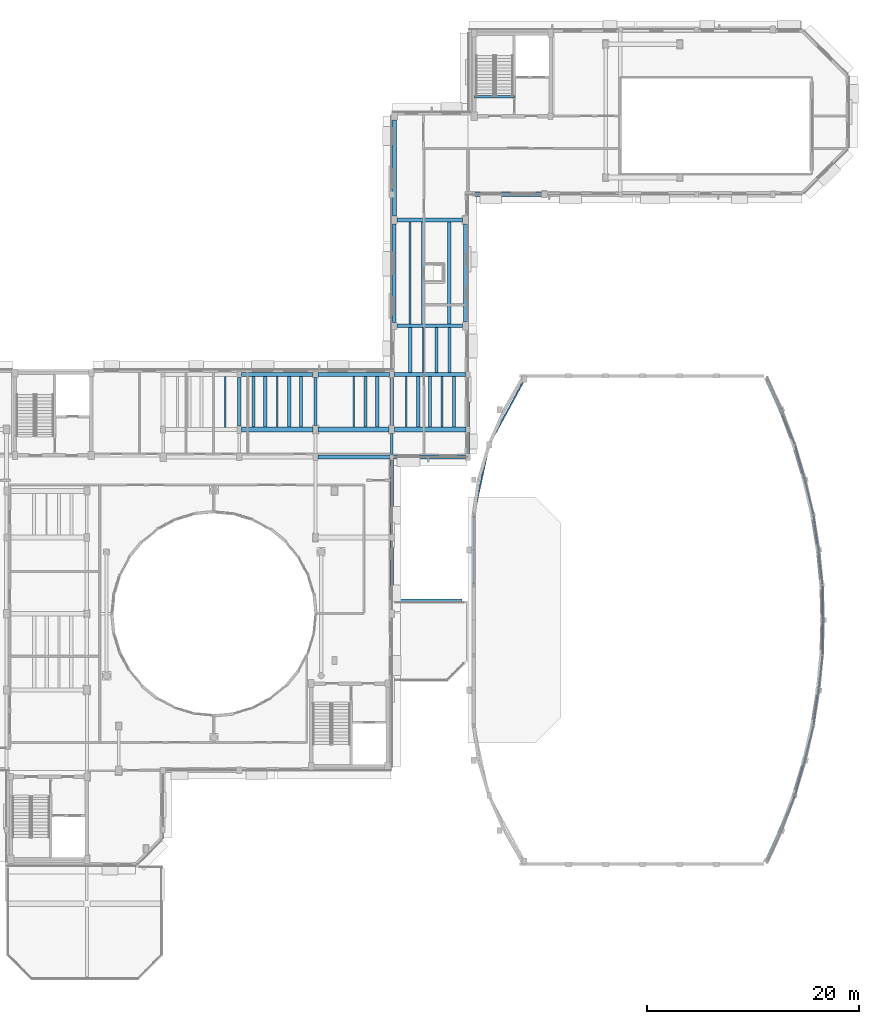
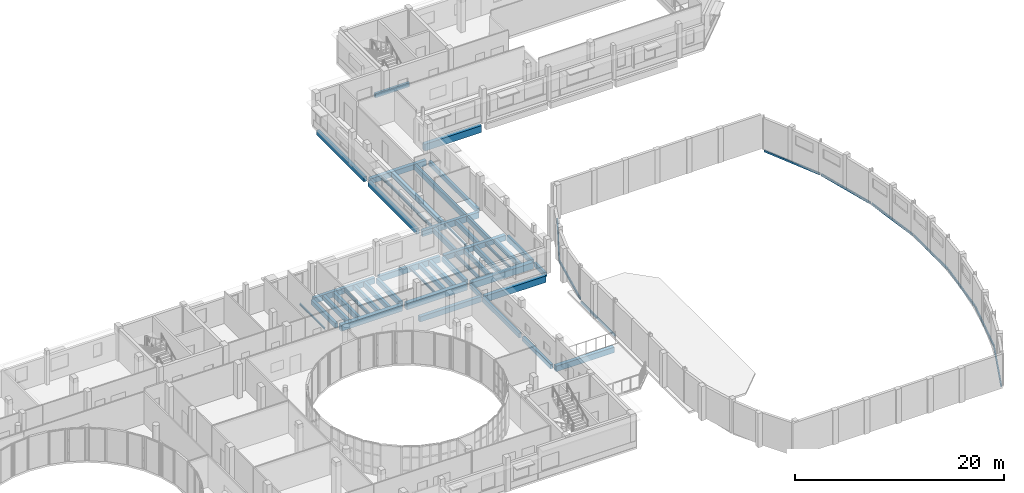
# One storey, part 44 of 89: 55 beams.
"""IFC4 building model written with IfcOpenShell, lengths in metres."""

import ifcopenshell
import ifcopenshell.guid

model = None  # the IFC model being written
_history = None  # IfcOwnerHistory: only IFC2X3 demands one
_inside = {}  # id of a spatial element -> (the spatial element, [elements in it])
_under = {}  # id of a project, library or spatial element -> (it, [spatial elements below it])
_declared = {}  # id of a project -> (the project, [libraries it declares])
_typed = {}  # id of a type object -> (the type object, [elements of that type])
_made_of = {}  # id of a material, layer set ... -> (it, [elements and type objects made of it])


def new_model(schema):
    """Start an empty IFC model of exactly this schema.

    Asked for "IFC4X3", IfcOpenShell would pick the latest addendum, in which some entities
    have other attributes; the version numbers below select the first issue.
    IFC2X3 requires an IfcOwnerHistory on every rooted entity: one is made here for all.
    """
    global model, _history
    if schema == "IFC4X3":
        model = ifcopenshell.file(schema_version=(4, 3, 0, 0))
    else:
        model = ifcopenshell.file(schema=schema)
    _inside.clear()
    _under.clear()
    _declared.clear()
    _typed.clear()
    _made_of.clear()
    _history = None
    if model.schema == "IFC2X3":
        org = make("IfcOrganization", Name="unknown")
        user = make(
            "IfcPersonAndOrganization",
            ThePerson=make("IfcPerson", FamilyName="unknown"),
            TheOrganization=org,
        )
        app = make(
            "IfcApplication",
            ApplicationDeveloper=org,
            Version="unknown",
            ApplicationFullName="unknown",
            ApplicationIdentifier="unknown",
        )
        _history = make(
            "IfcOwnerHistory",
            OwningUser=user,
            OwningApplication=app,
            ChangeAction="ADDED",
            CreationDate=0,
        )
    return model


def make(cls, **values):
    """One entity of the class cls with the attributes given. An attribute that is None is left unset."""
    return model.create_entity(
        cls, **{name: value for name, value in values.items() if value is not None}
    )


def rooted(cls, **values):
    """An entity with a GlobalId (a new one), such as an element, a storey or a relation."""
    return make(cls, GlobalId=ifcopenshell.guid.new(), OwnerHistory=_history, **values)


def si_unit(unit_type, name, prefix=None):
    """IfcSIUnit, for example si_unit("LENGTHUNIT", "METRE", prefix="MILLI")."""
    return make("IfcSIUnit", UnitType=unit_type, Prefix=prefix, Name=name)


def assignment(units):
    """IfcUnitAssignment: the units of a project."""
    return None if units is None else make("IfcUnitAssignment", Units=units)


def point(xyz):
    """IfcCartesianPoint."""
    return None if xyz is None else make("IfcCartesianPoint", Coordinates=xyz)


def direction(xyz):
    """IfcDirection."""
    return None if xyz is None else make("IfcDirection", DirectionRatios=xyz)


def frame(location, z_axis=None, x_axis=None):
    """IfcAxis2Placement3D, a coordinate frame: its origin and axes. An axis left out is left unset."""
    return make(
        "IfcAxis2Placement3D",
        Location=point(location),
        Axis=direction(z_axis),
        RefDirection=direction(x_axis),
    )


def frame_2d(location, x_axis=None):
    """IfcAxis2Placement2D, a coordinate frame in the plane: its origin and x axis."""
    return make(
        "IfcAxis2Placement2D", Location=point(location), RefDirection=direction(x_axis)
    )


def origin():
    """The frame at (0, 0, 0) with its axes left unset."""
    return frame((0.0, 0.0, 0.0))


def origin_2d():
    """The frame at (0, 0) in the plane with its x axis left unset."""
    return frame_2d((0.0, 0.0))


def place(relative_to, where):
    """IfcLocalPlacement: puts the frame where relative to a parent placement (None: the world)."""
    return make(
        "IfcLocalPlacement", PlacementRelTo=relative_to, RelativePlacement=where
    )


def context(
    kind, dimensions, precision=None, world=None, true_north=None, identifier=None
):
    """IfcGeometricRepresentationContext, for example the 3D "Model" context."""
    return make(
        "IfcGeometricRepresentationContext",
        ContextIdentifier=identifier,
        ContextType=kind,
        CoordinateSpaceDimension=dimensions,
        Precision=precision,
        WorldCoordinateSystem=world,
        TrueNorth=true_north,
    )


def subcontext(parent, identifier, kind, view, scale=None):
    """IfcGeometricRepresentationSubContext, for example "Body" below "Model"."""
    return make(
        "IfcGeometricRepresentationSubContext",
        ContextIdentifier=identifier,
        ContextType=kind,
        ParentContext=parent,
        TargetScale=scale,
        TargetView=view,
    )


def project(units=None, contexts=None):
    """IfcProject with its units and contexts."""
    return rooted(
        "IfcProject",
        Name="project",
        RepresentationContexts=contexts,
        UnitsInContext=assignment(units),
    )


def spatial(cls, under=None, at=None, **own):
    """A site, building, storey or space (cls), placed at a placement, below another one or the project."""
    s = rooted(cls, ObjectPlacement=at, **own)
    if under is not None:
        _under.setdefault(under.id(), (under, []))[1].append(s)
    return s


def profile(cls, at=None, kind="AREA", **sizes):
    """A parametric profile (cls). Its sizes go by their IFC names, for example OverallWidth=200.0."""
    return make(cls, ProfileType=kind, Position=at, **sizes)


def rectangle(**sizes):
    """IfcRectangleProfileDef."""
    return profile("IfcRectangleProfileDef", **sizes)


def hollow_rectangle(**sizes):
    """IfcRectangleHollowProfileDef."""
    return profile("IfcRectangleHollowProfileDef", **sizes)


def i_section(**sizes):
    """IfcIShapeProfileDef."""
    return profile("IfcIShapeProfileDef", **sizes)


def extrude(swept, where, along, depth):
    """IfcExtrudedAreaSolid: the profile swept, set in the frame where, extruded along a direction by depth."""
    return make(
        "IfcExtrudedAreaSolid",
        SweptArea=swept,
        Position=where,
        ExtrudedDirection=direction(along),
        Depth=depth,
    )


def shape(context_of_items, identifier, shape_type, items):
    """IfcShapeRepresentation: the items that make up one representation, for example the "Body"."""
    return make(
        "IfcShapeRepresentation",
        ContextOfItems=context_of_items,
        RepresentationIdentifier=identifier,
        RepresentationType=shape_type,
        Items=items,
    )


def material(Name=None, Category=None):
    """IfcMaterial."""
    return make("IfcMaterial", Name=Name, Category=Category)


def material_profile(
    of_material, cross_section, Name=None, Category=None, Priority=None
):
    """IfcMaterialProfile: a cross section and its material."""
    return make(
        "IfcMaterialProfile",
        Name=Name,
        Material=of_material,
        Profile=cross_section,
        Priority=Priority,
        Category=Category,
    )


def profile_set(profiles, Name=None, composite=None):
    """IfcMaterialProfileSet."""
    return make(
        "IfcMaterialProfileSet",
        Name=Name,
        MaterialProfiles=profiles,
        CompositeProfile=composite,
    )


def made_of(thing, what):
    """Note that an element or type object is made of a material, layer set ...; save() writes the relation."""
    if what is not None:
        _made_of.setdefault(what.id(), (what, []))[1].append(thing)
    return thing


def type_object(cls, material=None, **own):
    """A type object (cls), such as IfcWallType, which elements share."""
    return made_of(rooted(cls, **own), material)


def element(
    cls,
    number,
    at=None,
    inside=None,
    cuts=None,
    type_object=None,
    material=None,
    context=None,
    identifier="Body",
    shape_type=None,
    held_by="IfcProductDefinitionShape",
    body=None,
    shapes=None,
    **own,
):
    """One element of the class cls, such as IfcWall. Its Tag is "e" and its number.

    at: its placement. inside: the storey or other place that contains it. cuts: it is an
    opening in that element (IfcRelVoidsElement). A single representation is given by context,
    identifier, shape_type and body (its items); several are given by shapes. held_by: the class
    of the entity that holds the representations. save() writes the other relations.
    """
    e = rooted(cls, Tag="e%d" % number, ObjectPlacement=at, **own)
    if body is not None:
        shapes = [shape(context, identifier, shape_type, body)]
    if shapes is not None:
        e.Representation = make(held_by, Representations=shapes)
    if inside is not None:
        _inside.setdefault(inside.id(), (inside, []))[1].append(e)
    if cuts is not None:
        rooted(
            "IfcRelVoidsElement", RelatingBuildingElement=cuts, RelatedOpeningElement=e
        )
    if type_object is not None:
        _typed.setdefault(type_object.id(), (type_object, []))[1].append(e)
    return made_of(e, material)


def aggregate(whole, parts):
    """IfcRelAggregates: a whole, such as a stair, and the parts it consists of."""
    return rooted("IfcRelAggregates", RelatingObject=whole, RelatedObjects=parts)


def save(model, path):
    """Write the relations noted so far, then the file.

    IfcRelAggregates (storeys below a building ...), IfcRelContainedInSpatialStructure (elements
    in a storey), IfcRelDefinesByType, IfcRelAssociatesMaterial and IfcRelDeclares: one each for
    every whole, place, type object, material and project.
    """
    for whole, parts in _under.values():
        aggregate(whole, parts)
    for where, things in _inside.values():
        rooted(
            "IfcRelContainedInSpatialStructure",
            RelatedElements=things,
            RelatingStructure=where,
        )
    for kind, things in _typed.values():
        rooted("IfcRelDefinesByType", RelatedObjects=things, RelatingType=kind)
    for what, things in _made_of.values():
        rooted("IfcRelAssociatesMaterial", RelatedObjects=things, RelatingMaterial=what)
    for by, libraries in _declared.values():
        rooted("IfcRelDeclares", RelatingContext=by, RelatedDefinitions=libraries)
    model.write(path)


model = new_model("IFC4")

# Units and contexts
model_context = context("Model", 3, precision=1e-05, world=origin(), true_north=direction((0.0, 1.0)))
body_context = subcontext(model_context, "Body", "Model", "MODEL_VIEW")
ifc_project = project(units=[si_unit("LENGTHUNIT", "METRE"), si_unit("AREAUNIT", "SQUARE_METRE"), si_unit("VOLUMEUNIT", "CUBIC_METRE"), si_unit("PLANEANGLEUNIT", "RADIAN"), si_unit("MASSUNIT", "GRAM", prefix="KILO")], contexts=[model_context])

# Site, building, storey
site_placement = place(None, origin())
site = spatial("IfcSite", under=ifc_project, at=site_placement, CompositionType="ELEMENT")
building_placement = place(site_placement, origin())
building = spatial("IfcBuilding", under=site, at=building_placement, Name="Kelanivale Promenade Academy", CompositionType="ELEMENT")
storey_placement = place(building_placement, frame((0.0, 0.0, 12.199951171875)))
storey = spatial("IfcBuildingStorey", under=building, at=storey_placement, Name="L03", CompositionType="ELEMENT", Elevation=12.199951171875)

# Beams
ifc_material_1 = material(Name="Concrete C35/45", Category="concrete")
ifc_material_profile_1 = material_profile(ifc_material_1, rectangle(XDim=0.39990234375, YDim=0.64990234375, at=origin_2d()), Name="RC-BM 400x650")
ifc_profile_set_1 = profile_set([ifc_material_profile_1], Name="Concrete C35/45")
beam_type_1 = type_object("IfcBeamType", Name="BM-01 RC-BM 400x650", PredefinedType="BEAM", material=ifc_profile_set_1)
beam_1_placement = place(storey_placement, frame((115.794921875, 58.0, -0.56005859375), z_axis=(1.0, 0.0, 0.0), x_axis=(0.0, 1.0, 0.0)))
element("IfcBeam", 1, at=beam_1_placement, inside=storey, type_object=beam_type_1, Name="L03 girder BM-01", PredefinedType="BEAM", context=body_context, shape_type="SweptSolid", body=[
    extrude(rectangle(XDim=0.39990234375, YDim=0.64990234375, at=origin_2d()), origin(), (0.0, 0.0, 1.0), 6.43310546875),
])
ifc_material_profile_2 = material_profile(ifc_material_1, rectangle(XDim=0.449951171875, YDim=0.699951171875, at=origin_2d()), Name="RC-BM 450x700")
ifc_profile_set_2 = profile_set([ifc_material_profile_2], Name="Concrete C35/45")
beam_type_2 = type_object("IfcBeamType", Name="BM-03 RC-BM 450x700", PredefinedType="BEAM", material=ifc_profile_set_2)
beam_2_placement = place(storey_placement, frame((101.419921875, 74.199951171875, -0.570068359375), z_axis=(1.0, 0.0, 0.0), x_axis=(0.0, 1.0, 0.0)))
element("IfcBeam", 2, at=beam_2_placement, inside=storey, type_object=beam_type_2, Name="L03 girder BM-03", PredefinedType="BEAM", context=body_context, shape_type="SweptSolid", body=[
    extrude(rectangle(XDim=0.449951171875, YDim=0.699951171875, at=origin_2d()), origin(), (0.0, 0.0, 1.0), 6.735107421875),
])
ifc_material_profile_3 = material_profile(ifc_material_1, rectangle(XDim=0.449951171875, YDim=0.75, at=origin_2d()), Name="RC-BM 450x750")
ifc_profile_set_3 = profile_set([ifc_material_profile_3], Name="Concrete C35/45")
beam_type_3 = type_object("IfcBeamType", Name="BM-04 RC-BM 450x750", PredefinedType="BEAM", material=ifc_profile_set_3)
beam_3_placement = place(storey_placement, frame((108.64501953125, 74.199951171875, -0.594970703125), z_axis=(1.0, 0.0, 0.0), x_axis=(0.0, 1.0, 0.0)))
element("IfcBeam", 3, at=beam_3_placement, inside=storey, type_object=beam_type_3, Name="L03 girder BM-04", PredefinedType="BEAM", context=body_context, shape_type="SweptSolid", body=[
    extrude(rectangle(XDim=0.449951171875, YDim=0.75, at=origin_2d()), origin(), (0.0, 0.0, 1.0), 6.7099609375),
])
ifc_material_profile_4 = material_profile(ifc_material_1, rectangle(XDim=0.5, YDim=0.75, at=origin_2d()), Name="RC-BM 500x750")
ifc_profile_set_4 = profile_set([ifc_material_profile_4], Name="Concrete C35/45")
beam_type_4 = type_object("IfcBeamType", Name="BM-06 RC-BM 500x750", PredefinedType="BEAM", material=ifc_profile_set_4)
beam_4_placement = place(storey_placement, frame((115.844970703125, 74.199951171875, -0.655029296875), z_axis=(1.0, 0.0, 0.0), x_axis=(0.0, 1.0, 0.0)))
element("IfcBeam", 4, at=beam_4_placement, inside=storey, type_object=beam_type_4, Name="L03 girder BM-06", PredefinedType="BEAM", context=body_context, shape_type="SweptSolid", body=[
    extrude(rectangle(XDim=0.5, YDim=0.75, at=origin_2d()), origin(), (0.0, 0.0, 1.0), 6.784912109375),
])
ifc_material_profile_5 = material_profile(ifc_material_1, rectangle(XDim=0.35009765625, YDim=0.64990234375, at=origin_2d()), Name="RC-BM 350x650")
ifc_profile_set_5 = profile_set([ifc_material_profile_5], Name="Concrete C35/45")
beam_type_5 = type_object("IfcBeamType", Name="BM-10 RC-BM 350x650", PredefinedType="BEAM", material=ifc_profile_set_5)
beam_5_placement = place(storey_placement, frame((101.419921875, 79.39990234375, -0.544921875), z_axis=(1.0, 0.0, 0.0), x_axis=(0.0, 1.0, 0.0)))
element("IfcBeam", 5, at=beam_5_placement, inside=storey, type_object=beam_type_5, Name="L03 girder BM-10", PredefinedType="BEAM", context=body_context, shape_type="SweptSolid", body=[
    extrude(rectangle(XDim=0.35009765625, YDim=0.64990234375, at=origin_2d()), origin(), (0.0, 0.0, 1.0), 6.760009765625),
])
ifc_material_profile_6 = material_profile(ifc_material_1, rectangle(XDim=0.35009765625, YDim=0.699951171875, at=origin_2d()), Name="RC-BM 350x700")
ifc_profile_set_6 = profile_set([ifc_material_profile_6], Name="Concrete C35/45")
beam_type_6 = type_object("IfcBeamType", Name="BM-11 RC-BM 350x700", PredefinedType="BEAM", material=ifc_profile_set_6)
beam_6_placement = place(storey_placement, frame((108.6201171875, 79.39990234375, -0.570068359375), z_axis=(1.0, 0.0, 0.0), x_axis=(0.0, 1.0, 0.0)))
element("IfcBeam", 6, at=beam_6_placement, inside=storey, type_object=beam_type_6, Name="L03 girder BM-11", PredefinedType="BEAM", context=body_context, shape_type="SweptSolid", body=[
    extrude(rectangle(XDim=0.35009765625, YDim=0.699951171875, at=origin_2d()), origin(), (0.0, 0.0, 1.0), 6.759765625),
])
beam_7_placement = place(storey_placement, frame((116.094970703125, 84.0, -0.6298828125), z_axis=(1.0, 0.0, 0.0), x_axis=(0.0, 1.0, 0.0)))
element("IfcBeam", 7, at=beam_7_placement, inside=storey, type_object=beam_type_6, Name="L03 girder BM-11", PredefinedType="BEAM", context=body_context, shape_type="SweptSolid", body=[
    extrude(rectangle(XDim=0.35009765625, YDim=0.699951171875, at=origin_2d()), origin(), (0.0, 0.0, 1.0), 6.2099609375),
])
ifc_material_profile_7 = material_profile(ifc_material_1, rectangle(XDim=0.39990234375, YDim=0.60009765625, at=origin_2d()), Name="RC-BM 400x600")
ifc_profile_set_7 = profile_set([ifc_material_profile_7], Name="Concrete C35/45")
beam_type_7 = type_object("IfcBeamType", Name="BM-12 RC-BM 400x600", PredefinedType="BEAM", material=ifc_profile_set_7)
for number, where, z_axis, x_axis, name in (
    (8, (108.64501953125, 71.60009765625, -0.52001953125), (1.0, 0.0, 0.0), (0.0, 1.0, 0.0), "L03 girder BM-12"),
    (9, (115.820068359375, 79.39990234375, -0.579833984375), (1.0, 0.0, 0.0), (0.0, 1.0, 0.0), "L03 girder BM-12"),
):
    element("IfcBeam", number, at=place(storey_placement, frame(where, z_axis=z_axis, x_axis=x_axis)), inside=storey, type_object=beam_type_7, Name=name, PredefinedType="BEAM", context=body_context, shape_type="SweptSolid", body=[
        extrude(rectangle(XDim=0.39990234375, YDim=0.60009765625, at=origin_2d()), origin(), (0.0, 0.0, 1.0), 6.784912109375),
    ])
beam_8_placement = place(storey_placement, frame((116.094970703125, 94.0, -0.579833984375), z_axis=(1.0, 0.0, 0.0), x_axis=(0.0, 1.0, 0.0)))
element("IfcBeam", 10, at=beam_8_placement, inside=storey, type_object=beam_type_7, Name="L03 girder BM-12", PredefinedType="BEAM", context=body_context, shape_type="SweptSolid", body=[
    extrude(rectangle(XDim=0.39990234375, YDim=0.60009765625, at=origin_2d()), origin(), (0.0, 0.0, 1.0), 6.18505859375),
])
ifc_material_profile_8 = material_profile(ifc_material_1, rectangle(XDim=0.39990234375, YDim=0.75, at=origin_2d()), Name="RC-BM 400x750")
ifc_profile_set_8 = profile_set([ifc_material_profile_8], Name="Concrete C35/45")
beam_type_8 = type_object("IfcBeamType", Name="BM-13 RC-BM 400x750", PredefinedType="BEAM", material=ifc_profile_set_8)
beam_9_placement = place(storey_placement, frame((115.77001953125, 71.60009765625, -0.655029296875), z_axis=(1.0, 0.0, 0.0), x_axis=(0.0, 1.0, 0.0)))
element("IfcBeam", 11, at=beam_9_placement, inside=storey, type_object=beam_type_8, Name="L03 girder BM-13", PredefinedType="BEAM", context=body_context, shape_type="SweptSolid", body=[
    extrude(rectangle(XDim=0.39990234375, YDim=0.75, at=origin_2d()), origin(), (0.0, 0.0, 1.0), 6.784912109375),
])
ifc_material_profile_9 = material_profile(ifc_material_1, rectangle(XDim=0.39990234375, YDim=0.800048828125, at=origin_2d()), Name="RC-BM 400x800")
ifc_profile_set_9 = profile_set([ifc_material_profile_9], Name="Concrete C35/45")
beam_type_9 = type_object("IfcBeamType", Name="BM-14 RC-BM 400x800", PredefinedType="BEAM", material=ifc_profile_set_9)
beam_10_placement = place(storey_placement, frame((123.471923828125, 96.39990234375, -0.679931640625), z_axis=(1.0, 0.0, 0.0), x_axis=(0.0, 1.0, 0.0)))
element("IfcBeam", 12, at=beam_10_placement, inside=storey, type_object=beam_type_9, Name="L03 girder BM-14", PredefinedType="BEAM", context=body_context, shape_type="SweptSolid", body=[
    extrude(rectangle(XDim=0.39990234375, YDim=0.800048828125, at=origin_2d()), origin(), (0.0, 0.0, 1.0), 6.282958984375),
])
ifc_material_profile_10 = material_profile(ifc_material_1, rectangle(XDim=0.300048828125, YDim=0.5, at=origin_2d()), Name="RC-BM 300x500")
ifc_profile_set_10 = profile_set([ifc_material_profile_10], Name="Concrete C35/45")
beam_type_10 = type_object("IfcBeamType", Name="JS-01 RC-BM 300x500", PredefinedType="JOIST", material=ifc_profile_set_10)
beam_11_placement = place(storey_placement, frame((115.60009765625, 58.27001953125, -0.469970703125), z_axis=(0.0, 1.0, 0.0), x_axis=(-1.0, 0.0, 0.0)))
element("IfcBeam", 13, at=beam_11_placement, inside=storey, type_object=beam_type_10, Name="L03 beam JS-01", PredefinedType="JOIST", context=body_context, shape_type="SweptSolid", body=[
    extrude(rectangle(XDim=0.300048828125, YDim=0.5, at=origin_2d()), origin(), (0.0, 0.0, 1.0), 5.43505859375),
])
beam_12_placement = place(storey_placement, frame((122.550048828125, 84.3701171875, -0.530029296875), z_axis=(0.0, 1.0, 0.0), x_axis=(-1.0, 0.0, 0.0)))
element("IfcBeam", 14, at=beam_12_placement, inside=storey, type_object=beam_type_10, Name="L03 beam JS-01", PredefinedType="JOIST", context=body_context, shape_type="SweptSolid", body=[
    extrude(rectangle(XDim=0.300048828125, YDim=0.5, at=origin_2d()), origin(), (0.0, 0.0, 1.0), 9.259765625),
])
beam_13_placement = place(storey_placement, frame((105.909912109375, 74.425048828125, -0.469970703125), z_axis=(0.0, 1.0, 0.0), x_axis=(-1.0, 0.0, 0.0)))
element("IfcBeam", 15, at=beam_13_placement, inside=storey, type_object=beam_type_10, Name="L03 secondary sub-beam JS-01", PredefinedType="JOIST", context=body_context, shape_type="SweptSolid", body=[
    extrude(rectangle(XDim=0.300048828125, YDim=0.5, at=origin_2d()), origin(), (0.0, 0.0, 1.0), 4.800048828125),
])
beam_14_placement = place(storey_placement, frame((118.097900390625, 74.449951171875, -0.530029296875), z_axis=(0.0, 1.0, 0.0), x_axis=(-1.0, 0.0, 0.0)))
element("IfcBeam", 16, at=beam_14_placement, inside=storey, type_object=beam_type_10, Name="L03 secondary sub-beam JS-01", PredefinedType="JOIST", context=body_context, shape_type="SweptSolid", body=[
    extrude(rectangle(XDim=0.300048828125, YDim=0.5, at=origin_2d()), origin(), (0.0, 0.0, 1.0), 4.75),
])
beam_15_placement = place(storey_placement, frame((119.821044921875, 79.60009765625, -0.530029296875), z_axis=(0.0, 1.0, 0.0), x_axis=(-1.0, 0.0, 0.0)))
element("IfcBeam", 17, at=beam_15_placement, inside=storey, type_object=beam_type_10, Name="L03 secondary sub-beam JS-01", PredefinedType="JOIST", context=body_context, shape_type="SweptSolid", body=[
    extrude(rectangle(XDim=0.300048828125, YDim=0.5, at=origin_2d()), origin(), (0.0, 0.0, 1.0), 4.224853515625),
])
ifc_material_profile_11 = material_profile(ifc_material_1, rectangle(XDim=0.300048828125, YDim=0.550048828125, at=origin_2d()), Name="RC-BM 300x550")
ifc_profile_set_11 = profile_set([ifc_material_profile_11], Name="Concrete C35/45")
beam_type_11 = type_object("IfcBeamType", Name="JS-02 RC-BM 300x550", PredefinedType="JOIST", material=ifc_profile_set_11)
beam_16_placement = place(storey_placement, frame((101.199951171875, 74.544921875, -0.494873046875), z_axis=(0.0, 1.0, 0.0), x_axis=(-1.0, 0.0, 0.0)))
element("IfcBeam", 18, at=beam_16_placement, inside=storey, type_object=beam_type_11, Name="L03 beam JS-02", PredefinedType="JOIST", context=body_context, shape_type="SweptSolid", body=[
    extrude(rectangle(XDim=0.300048828125, YDim=0.550048828125, at=origin_2d()), origin(), (0.0, 0.0, 1.0), 4.5849609375),
])
beam_17_placement = place(storey_placement, frame((115.60009765625, 64.294921875, -0.494873046875), z_axis=(0.0, 1.0, 0.0), x_axis=(-1.0, 0.0, 0.0)))
element("IfcBeam", 19, at=beam_17_placement, inside=storey, type_object=beam_type_11, Name="L03 beam JS-02", PredefinedType="JOIST", context=body_context, shape_type="SweptSolid", body=[
    extrude(rectangle(XDim=0.300048828125, YDim=0.550048828125, at=origin_2d()), origin(), (0.0, 0.0, 1.0), 7.06005859375),
])
beam_18_placement = place(storey_placement, frame((107.031982421875, 74.425048828125, -0.494873046875), z_axis=(0.0, 1.0, 0.0), x_axis=(-1.0, 0.0, 0.0)))
element("IfcBeam", 20, at=beam_18_placement, inside=storey, type_object=beam_type_11, Name="L03 secondary sub-beam JS-02", PredefinedType="JOIST", context=body_context, shape_type="SweptSolid", body=[
    extrude(rectangle(XDim=0.300048828125, YDim=0.550048828125, at=origin_2d()), origin(), (0.0, 0.0, 1.0), 4.800048828125),
])
beam_19_placement = place(storey_placement, frame((119.22509765625, 74.449951171875, -0.554931640625), z_axis=(0.0, 1.0, 0.0), x_axis=(-1.0, 0.0, 0.0)))
element("IfcBeam", 21, at=beam_19_placement, inside=storey, type_object=beam_type_11, Name="L03 secondary sub-beam JS-02", PredefinedType="JOIST", context=body_context, shape_type="SweptSolid", body=[
    extrude(rectangle(XDim=0.300048828125, YDim=0.550048828125, at=origin_2d()), origin(), (0.0, 0.0, 1.0), 4.75),
])
beam_20_placement = place(storey_placement, frame((121.06298828125, 79.60009765625, -0.554931640625), z_axis=(0.0, 1.0, 0.0), x_axis=(-1.0, 0.0, 0.0)))
element("IfcBeam", 22, at=beam_20_placement, inside=storey, type_object=beam_type_11, Name="L03 secondary sub-beam JS-02", PredefinedType="JOIST", context=body_context, shape_type="SweptSolid", body=[
    extrude(rectangle(XDim=0.300048828125, YDim=0.550048828125, at=origin_2d()), origin(), (0.0, 0.0, 1.0), 4.224853515625),
])
ifc_material_profile_12 = material_profile(ifc_material_1, rectangle(XDim=0.300048828125, YDim=0.60009765625, at=origin_2d()), Name="RC-BM 300x600")
ifc_profile_set_12 = profile_set([ifc_material_profile_12], Name="Concrete C35/45")
beam_type_12 = type_object("IfcBeamType", Name="JS-03 RC-BM 300x600", PredefinedType="JOIST", material=ifc_profile_set_12)
beam_21_placement = place(storey_placement, frame((122.800048828125, 74.445068359375, -0.579833984375), z_axis=(0.0, 1.0, 0.0), x_axis=(-1.0, 0.0, 0.0)))
element("IfcBeam", 23, at=beam_21_placement, inside=storey, type_object=beam_type_12, Name="L03 beam JS-03", PredefinedType="JOIST", context=body_context, shape_type="SweptSolid", body=[
    extrude(rectangle(XDim=0.300048828125, YDim=0.60009765625, at=origin_2d()), origin(), (0.0, 0.0, 1.0), 4.7099609375),
])
ifc_material_profile_13 = material_profile(ifc_material_1, rectangle(XDim=0.320068359375, YDim=0.550048828125, at=origin_2d()), Name="RC-BM 320x550")
ifc_profile_set_13 = profile_set([ifc_material_profile_13], Name="Concrete C35/45")
beam_type_13 = type_object("IfcBeamType", Name="JS-04 RC-BM 320x550", PredefinedType="JOIST", material=ifc_profile_set_13)
beam_22_placement = place(storey_placement, frame((115.60009765625, 74.570068359375, -0.494873046875), z_axis=(0.0, 1.0, 0.0), x_axis=(-1.0, 0.0, 0.0)))
element("IfcBeam", 24, at=beam_22_placement, inside=storey, type_object=beam_type_13, Name="L03 beam JS-04", PredefinedType="JOIST", context=body_context, shape_type="SweptSolid", body=[
    extrude(rectangle(XDim=0.320068359375, YDim=0.550048828125, at=origin_2d()), origin(), (0.0, 0.0, 1.0), 4.559814453125),
])
for number, where, z_axis, x_axis, name in (
    (25, (102.54296875, 74.425048828125, -0.494873046875), (0.0, 1.0, 0.0), (-1.0, 0.0, 0.0), "L03 secondary sub-beam JS-04"),
    (26, (113.117919921875, 74.425048828125, -0.494873046875), (0.0, 1.0, 0.0), (-1.0, 0.0, 0.0), "L03 secondary sub-beam JS-04"),
):
    element("IfcBeam", number, at=place(storey_placement, frame(where, z_axis=z_axis, x_axis=x_axis)), inside=storey, type_object=beam_type_13, Name=name, PredefinedType="JOIST", context=body_context, shape_type="SweptSolid", body=[
        extrude(rectangle(XDim=0.320068359375, YDim=0.550048828125, at=origin_2d()), origin(), (0.0, 0.0, 1.0), 4.800048828125),
    ])
beam_23_placement = place(storey_placement, frame((121.47802734375, 74.449951171875, -0.554931640625), z_axis=(0.0, 1.0, 0.0), x_axis=(-1.0, 0.0, 0.0)))
element("IfcBeam", 27, at=beam_23_placement, inside=storey, type_object=beam_type_13, Name="L03 secondary sub-beam JS-04", PredefinedType="JOIST", context=body_context, shape_type="SweptSolid", body=[
    extrude(rectangle(XDim=0.320068359375, YDim=0.550048828125, at=origin_2d()), origin(), (0.0, 0.0, 1.0), 4.75),
])
beam_24_placement = place(storey_placement, frame((118.569091796875, 84.175048828125, -0.554931640625), z_axis=(0.0, 1.0, 0.0), x_axis=(-1.0, 0.0, 0.0)))
element("IfcBeam", 28, at=beam_24_placement, inside=storey, type_object=beam_type_13, Name="L03 secondary sub-beam JS-04", PredefinedType="JOIST", context=body_context, shape_type="SweptSolid", body=[
    extrude(rectangle(XDim=0.320068359375, YDim=0.550048828125, at=origin_2d()), origin(), (0.0, 0.0, 1.0), 9.625),
])
ifc_material_profile_14 = material_profile(ifc_material_1, rectangle(XDim=0.320068359375, YDim=0.60009765625, at=origin_2d()), Name="RC-BM 320x600")
ifc_profile_set_14 = profile_set([ifc_material_profile_14], Name="Concrete C35/45")
beam_type_14 = type_object("IfcBeamType", Name="JS-05 RC-BM 320x600", PredefinedType="JOIST", material=ifc_profile_set_14)
beam_25_placement = place(storey_placement, frame((108.39990234375, 74.570068359375, -0.52001953125), z_axis=(0.0, 1.0, 0.0), x_axis=(-1.0, 0.0, 0.0)))
element("IfcBeam", 29, at=beam_25_placement, inside=storey, type_object=beam_type_14, Name="L03 beam JS-05", PredefinedType="JOIST", context=body_context, shape_type="SweptSolid", body=[
    extrude(rectangle(XDim=0.320068359375, YDim=0.60009765625, at=origin_2d()), origin(), (0.0, 0.0, 1.0), 4.559814453125),
])
beam_26_placement = place(storey_placement, frame((115.85009765625, 84.320068359375, -0.579833984375), z_axis=(0.0, 1.0, 0.0), x_axis=(-1.0, 0.0, 0.0)))
element("IfcBeam", 30, at=beam_26_placement, inside=storey, type_object=beam_type_14, Name="L03 beam JS-05", PredefinedType="JOIST", context=body_context, shape_type="SweptSolid", body=[
    extrude(rectangle(XDim=0.320068359375, YDim=0.60009765625, at=origin_2d()), origin(), (0.0, 0.0, 1.0), 9.309814453125),
])
for number, where, z_axis, x_axis, name in (
    (31, (103.6650390625, 74.425048828125, -0.52001953125), (0.0, 1.0, 0.0), (-1.0, 0.0, 0.0), "L03 secondary sub-beam JS-05"),
    (32, (114.237060546875, 74.425048828125, -0.52001953125), (0.0, 1.0, 0.0), (-1.0, 0.0, 0.0), "L03 secondary sub-beam JS-05"),
):
    element("IfcBeam", number, at=place(storey_placement, frame(where, z_axis=z_axis, x_axis=x_axis)), inside=storey, type_object=beam_type_14, Name=name, PredefinedType="JOIST", context=body_context, shape_type="SweptSolid", body=[
        extrude(rectangle(XDim=0.320068359375, YDim=0.60009765625, at=origin_2d()), origin(), (0.0, 0.0, 1.0), 4.800048828125),
    ])
beam_27_placement = place(storey_placement, frame((117.3369140625, 79.60009765625, -0.579833984375), z_axis=(0.0, 1.0, 0.0), x_axis=(-1.0, 0.0, 0.0)))
element("IfcBeam", 33, at=beam_27_placement, inside=storey, type_object=beam_type_14, Name="L03 secondary sub-beam JS-05", PredefinedType="JOIST", context=body_context, shape_type="SweptSolid", body=[
    extrude(rectangle(XDim=0.320068359375, YDim=0.60009765625, at=origin_2d()), origin(), (0.0, 0.0, 1.0), 4.224853515625),
])
beam_28_placement = place(storey_placement, frame((121.04296875, 84.175048828125, -0.579833984375), z_axis=(0.0, 1.0, 0.0), x_axis=(-1.0, 0.0, 0.0)))
element("IfcBeam", 34, at=beam_28_placement, inside=storey, type_object=beam_type_14, Name="L03 secondary sub-beam JS-05", PredefinedType="JOIST", context=body_context, shape_type="SweptSolid", body=[
    extrude(rectangle(XDim=0.320068359375, YDim=0.60009765625, at=origin_2d()), origin(), (0.0, 0.0, 1.0), 9.625),
])
ifc_material_profile_15 = material_profile(ifc_material_1, rectangle(XDim=0.35009765625, YDim=0.550048828125, at=origin_2d()), Name="RC-BM 350x550")
ifc_profile_set_15 = profile_set([ifc_material_profile_15], Name="Concrete C35/45")
beam_type_15 = type_object("IfcBeamType", Name="JS-06 RC-BM 350x550", PredefinedType="JOIST", material=ifc_profile_set_15)
beam_29_placement = place(storey_placement, frame((115.85009765625, 94.3701171875, -0.554931640625), z_axis=(0.0, 1.0, 0.0), x_axis=(-1.0, 0.0, 0.0)))
element("IfcBeam", 35, at=beam_29_placement, inside=storey, type_object=beam_type_15, Name="L03 beam JS-06", PredefinedType="JOIST", context=body_context, shape_type="SweptSolid", body=[
    extrude(rectangle(XDim=0.35009765625, YDim=0.550048828125, at=origin_2d()), origin(), (0.0, 0.0, 1.0), 9.059814453125),
])
ifc_material_profile_16 = material_profile(ifc_material_1, rectangle(XDim=0.25, YDim=0.5, at=origin_2d()), Name="RC-BM 250x500")
ifc_profile_set_16 = profile_set([ifc_material_profile_16], Name="Concrete C35/45")
beam_type_16 = type_object("IfcBeamType", Name="LN-02 RC-BM 250x500", PredefinedType="LINTEL", material=ifc_profile_set_16)
beam_30_placement = place(storey_placement, frame((115.60009765625, 71.844970703125, -0.469970703125), z_axis=(0.0, 1.0, 0.0), x_axis=(-1.0, 0.0, 0.0)))
element("IfcBeam", 36, at=beam_30_placement, inside=storey, type_object=beam_type_16, Name="L03 beam LN-02", PredefinedType="LINTEL", context=body_context, shape_type="SweptSolid", body=[
    extrude(rectangle(XDim=0.25, YDim=0.5, at=origin_2d()), origin(), (0.0, 0.0, 1.0), 1.985107421875),
])
beam_31_placement = place(storey_placement, frame((122.800048828125, 71.89501953125, -0.530029296875), z_axis=(0.0, 1.0, 0.0), x_axis=(-1.0, 0.0, 0.0)))
element("IfcBeam", 37, at=beam_31_placement, inside=storey, type_object=beam_type_16, Name="L03 beam LN-02", PredefinedType="LINTEL", context=body_context, shape_type="SweptSolid", body=[
    extrude(rectangle(XDim=0.25, YDim=0.5, at=origin_2d()), origin(), (0.0, 0.0, 1.0), 2.06005859375),
])
beam_32_placement = place(storey_placement, frame((123.39990234375, 105.655029296875, -0.25), z_axis=(1.0, 0.0, 0.0), x_axis=(0.0, 1.0, 0.0)))
element("IfcBeam", 38, at=beam_32_placement, inside=storey, type_object=beam_type_16, Name="CORE-5 stair arrival trimmer beam L03", PredefinedType="LINTEL", context=body_context, shape_type="SweptSolid", body=[
    extrude(rectangle(XDim=0.25, YDim=0.5, at=origin_2d()), origin(), (0.0, 0.0, 1.0), 3.775146484375),
])
ifc_material_2 = material(Name="Steel S355", Category="steel")
ifc_material_profile_17 = material_profile(ifc_material_2, i_section(OverallWidth=0.13330078125, OverallDepth=0.203125, WebThickness=0.005615234375, FlangeThickness=0.0078125, FilletRadius=0.007568359375, at=origin_2d()), Name="UB 203x133x25")
ifc_profile_set_17 = profile_set([ifc_material_profile_17], Name="Steel S355")
beam_type_17 = type_object("IfcBeamType", Name="SB-01 UB 203x133x25", PredefinedType="JOIST", material=ifc_profile_set_17)
beam_33_placement = place(storey_placement, frame((99.85791015625, 74.39990234375, -0.322021484375), z_axis=(0.0, 1.0, 0.0), x_axis=(-1.0, 0.0, 0.0)))
element("IfcBeam", 39, at=beam_33_placement, inside=storey, type_object=beam_type_17, Name="L03 secondary sub-beam SB-01", PredefinedType="JOIST", context=body_context, shape_type="SweptSolid", body=[
    extrude(i_section(OverallWidth=0.13330078125, OverallDepth=0.203125, WebThickness=0.005615234375, FlangeThickness=0.0078125, FilletRadius=0.007568359375, at=origin_2d()), origin(), (0.0, 0.0, 1.0), 4.8251953125),
])
beam_34_placement = place(storey_placement, frame((118.5791015625, 79.60009765625, -0.3818359375), z_axis=(0.0, 1.0, 0.0), x_axis=(-1.0, 0.0, 0.0)))
element("IfcBeam", 40, at=beam_34_placement, inside=storey, type_object=beam_type_17, Name="L03 secondary sub-beam SB-01", PredefinedType="JOIST", context=body_context, shape_type="SweptSolid", body=[
    extrude(i_section(OverallWidth=0.13330078125, OverallDepth=0.203125, WebThickness=0.005615234375, FlangeThickness=0.0078125, FilletRadius=0.007568359375, at=origin_2d()), origin(), (0.0, 0.0, 1.0), 4.224853515625),
])
ifc_material_profile_18 = material_profile(ifc_material_2, i_section(OverallWidth=0.14599609375, OverallDepth=0.25146484375, WebThickness=0.006103515625, FlangeThickness=0.008544921875, FilletRadius=0.007568359375, at=origin_2d()), Name="UB 254x146x31")
ifc_profile_set_18 = profile_set([ifc_material_profile_18], Name="Steel S355")
beam_type_18 = type_object("IfcBeamType", Name="SB-02 UB 254x146x31", PredefinedType="JOIST", material=ifc_profile_set_18)
beam_35_placement = place(storey_placement, frame((112.0, 74.425048828125, -0.345947265625), z_axis=(0.0, 1.0, 0.0), x_axis=(-1.0, 0.0, 0.0)))
element("IfcBeam", 41, at=beam_35_placement, inside=storey, type_object=beam_type_18, Name="L03 secondary sub-beam SB-02", PredefinedType="JOIST", context=body_context, shape_type="SweptSolid", body=[
    extrude(i_section(OverallWidth=0.14599609375, OverallDepth=0.25146484375, WebThickness=0.006103515625, FlangeThickness=0.008544921875, FilletRadius=0.007568359375, at=origin_2d()), origin(), (0.0, 0.0, 1.0), 4.800048828125),
])
ifc_material_profile_19 = material_profile(ifc_material_2, i_section(OverallWidth=0.1650390625, OverallDepth=0.303466796875, WebThickness=0.006103515625, FlangeThickness=0.01025390625, FilletRadius=0.0087890625, at=origin_2d()), Name="UB 305x165x40")
ifc_profile_set_19 = profile_set([ifc_material_profile_19], Name="Steel S355")
beam_type_19 = type_object("IfcBeamType", Name="SB-03 UB 305x165x40", PredefinedType="BEAM", material=ifc_profile_set_19)
beam_36_placement = place(storey_placement, frame((120.35205078125, 74.449951171875, -0.431884765625), z_axis=(0.0, 1.0, 0.0), x_axis=(-1.0, 0.0, 0.0)))
element("IfcBeam", 42, at=beam_36_placement, inside=storey, type_object=beam_type_19, Name="L03 secondary sub-beam SB-03", PredefinedType="BEAM", context=body_context, shape_type="SweptSolid", body=[
    extrude(i_section(OverallWidth=0.1650390625, OverallDepth=0.303466796875, WebThickness=0.006103515625, FlangeThickness=0.01025390625, FilletRadius=0.0087890625, at=origin_2d()), origin(), (0.0, 0.0, 1.0), 4.75),
])
ifc_material_profile_20 = material_profile(ifc_material_2, i_section(OverallWidth=0.17138671875, OverallDepth=0.35498046875, WebThickness=0.00732421875, FlangeThickness=0.011474609375, FilletRadius=0.01025390625, at=origin_2d()), Name="UB 356x171x51")
ifc_profile_set_20 = profile_set([ifc_material_profile_20], Name="Steel S355")
beam_type_20 = type_object("IfcBeamType", Name="SB-04 UB 356x171x51", PredefinedType="BEAM", material=ifc_profile_set_20)
beam_37_placement = place(storey_placement, frame((104.787109375, 74.425048828125, -0.39697265625), z_axis=(0.0, 1.0, 0.0), x_axis=(-1.0, 0.0, 0.0)))
element("IfcBeam", 43, at=beam_37_placement, inside=storey, type_object=beam_type_20, Name="L03 secondary sub-beam SB-04", PredefinedType="BEAM", context=body_context, shape_type="SweptSolid", body=[
    extrude(i_section(OverallWidth=0.17138671875, OverallDepth=0.35498046875, WebThickness=0.00732421875, FlangeThickness=0.011474609375, FilletRadius=0.01025390625, at=origin_2d()), origin(), (0.0, 0.0, 1.0), 4.800048828125),
])
beam_38_placement = place(storey_placement, frame((117.33203125, 84.175048828125, -0.4580078125), z_axis=(0.0, 1.0, 0.0), x_axis=(-1.0, 0.0, 0.0)))
element("IfcBeam", 44, at=beam_38_placement, inside=storey, type_object=beam_type_20, Name="L03 secondary sub-beam SB-04", PredefinedType="BEAM", context=body_context, shape_type="SweptSolid", body=[
    extrude(i_section(OverallWidth=0.17138671875, OverallDepth=0.35498046875, WebThickness=0.00732421875, FlangeThickness=0.011474609375, FilletRadius=0.01025390625, at=origin_2d()), origin(), (0.0, 0.0, 1.0), 9.625),
])
ifc_material_profile_21 = material_profile(ifc_material_2, i_section(OverallWidth=0.177978515625, OverallDepth=0.406494140625, WebThickness=0.0078125, FlangeThickness=0.0126953125, FilletRadius=0.01025390625, at=origin_2d()), Name="UB 406x178x60")
ifc_profile_set_21 = profile_set([ifc_material_profile_21], Name="Steel S355")
beam_type_21 = type_object("IfcBeamType", Name="SB-05 UB 406x178x60", PredefinedType="BEAM", material=ifc_profile_set_21)
beam_39_placement = place(storey_placement, frame((116.971923828125, 74.449951171875, -0.48291015625), z_axis=(0.0, 1.0, 0.0), x_axis=(-1.0, 0.0, 0.0)))
element("IfcBeam", 45, at=beam_39_placement, inside=storey, type_object=beam_type_21, Name="L03 secondary sub-beam SB-05", PredefinedType="BEAM", context=body_context, shape_type="SweptSolid", body=[
    extrude(i_section(OverallWidth=0.177978515625, OverallDepth=0.406494140625, WebThickness=0.0078125, FlangeThickness=0.0126953125, FilletRadius=0.01025390625, at=origin_2d()), origin(), (0.0, 0.0, 1.0), 4.75),
])
ifc_material_profile_22 = material_profile(ifc_material_2, hollow_rectangle(XDim=0.14990234375, YDim=0.25, WallThickness=0.010009765625, InnerFilletRadius=0.010009765625, OuterFilletRadius=0.02001953125, at=origin_2d()), Name="RHS 250x150x10.0")
ifc_profile_set_22 = profile_set([ifc_material_profile_22], Name="Steel S355")
beam_type_22 = type_object("IfcBeamType", Name="SB-13 RHS 250x150x10.0", PredefinedType="SPANDREL", material=ifc_profile_set_22)
beam_40_placement = place(storey_placement, frame((150.97900390625, 33.541015625, -0.125), z_axis=(0.406593934051, 0.913608982439, 0.0), x_axis=(-0.913608982439, 0.406593934051, 0.0)))
element("IfcBeam", 46, at=beam_40_placement, inside=storey, type_object=beam_type_22, Name="Assembly Hall Arc Pavilion curved ring beam SB-13", PredefinedType="SPANDREL", context=body_context, shape_type="SweptSolid", body=[
    extrude(hollow_rectangle(XDim=0.14990234375, YDim=0.25, WallThickness=0.010009765625, InnerFilletRadius=0.010009765625, OuterFilletRadius=0.02001953125, at=origin_2d()), origin(), (0.0, 0.0, 1.0), 6.564208984375),
])
beam_41_placement = place(storey_placement, frame((153.715087890625, 39.72607421875, -0.125), z_axis=(0.255453887547, 0.966821240632, 0.0), x_axis=(-0.966821240632, 0.255453887547, 0.0)))
element("IfcBeam", 47, at=beam_41_placement, inside=storey, type_object=beam_type_22, Name="Assembly Hall Arc Pavilion curved ring beam SB-13", PredefinedType="SPANDREL", context=body_context, shape_type="SweptSolid", body=[
    extrude(hollow_rectangle(XDim=0.14990234375, YDim=0.25, WallThickness=0.010009765625, InnerFilletRadius=0.010009765625, OuterFilletRadius=0.02001953125, at=origin_2d()), origin(), (0.0, 0.0, 1.0), 6.654541015625),
])
beam_42_placement = place(storey_placement, frame((155.4541015625, 46.35595703125, -0.125), z_axis=(0.12752809224, 0.991834958897, 0.0), x_axis=(-0.991834958897, 0.12752809224, 0.0)))
element("IfcBeam", 48, at=beam_42_placement, inside=storey, type_object=beam_type_22, Name="Assembly Hall Arc Pavilion curved ring beam SB-13", PredefinedType="SPANDREL", context=body_context, shape_type="SweptSolid", body=[
    extrude(hollow_rectangle(XDim=0.14990234375, YDim=0.25, WallThickness=0.010009765625, InnerFilletRadius=0.010009765625, OuterFilletRadius=0.02001953125, at=origin_2d()), origin(), (0.0, 0.0, 1.0), 6.484130859375),
])
beam_43_placement = place(storey_placement, frame((156.2939453125, 52.986083984375, -0.125), z_axis=(0.0, 1.0, 0.0), x_axis=(-1.0, 0.0, 0.0)))
element("IfcBeam", 49, at=beam_43_placement, inside=storey, type_object=beam_type_22, Name="Assembly Hall Arc Pavilion curved ring beam SB-13", PredefinedType="SPANDREL", context=body_context, shape_type="SweptSolid", body=[
    extrude(hollow_rectangle(XDim=0.14990234375, YDim=0.25, WallThickness=0.010009765625, InnerFilletRadius=0.010009765625, OuterFilletRadius=0.02001953125, at=origin_2d()), origin(), (0.0, 0.0, 1.0), 6.427978515625),
])
beam_44_placement = place(storey_placement, frame((156.281005859375, 59.613037109375, -0.125), z_axis=(-0.127532854927, 0.991834346509, 0.0), x_axis=(-0.991834346509, -0.127532854927, 0.0)))
element("IfcBeam", 50, at=beam_44_placement, inside=storey, type_object=beam_type_22, Name="Assembly Hall Arc Pavilion curved ring beam SB-13", PredefinedType="SPANDREL", context=body_context, shape_type="SweptSolid", body=[
    extrude(hollow_rectangle(XDim=0.14990234375, YDim=0.25, WallThickness=0.010009765625, InnerFilletRadius=0.010009765625, OuterFilletRadius=0.02001953125, at=origin_2d()), origin(), (0.0, 0.0, 1.0), 6.48388671875),
])
beam_45_placement = place(storey_placement, frame((123.35009765625, 59.614013671875, -0.364990234375), z_axis=(0.0, 1.0, 0.0), x_axis=(-1.0, 0.0, 0.0)))
element("IfcBeam", 51, at=beam_45_placement, inside=storey, type_object=beam_type_22, Name="Assembly Hall Arc Pavilion inner kidney ring beam SB-13", PredefinedType="SPANDREL", context=body_context, shape_type="SweptSolid", body=[
    extrude(hollow_rectangle(XDim=0.14990234375, YDim=0.25, WallThickness=0.010009765625, InnerFilletRadius=0.010009765625, OuterFilletRadius=0.02001953125, at=origin_2d()), origin(), (0.0, 0.0, 1.0), 6.428955078125),
])
beam_46_placement = place(storey_placement, frame((155.4150390625, 66.239990234375, -0.125), z_axis=(-0.255444826884, 0.966823634598, 0.0), x_axis=(-0.966823634598, -0.255444826884, 0.0)))
element("IfcBeam", 52, at=beam_46_placement, inside=storey, type_object=beam_type_22, Name="Assembly Hall Arc Pavilion curved ring beam SB-13", PredefinedType="SPANDREL", context=body_context, shape_type="SweptSolid", body=[
    extrude(hollow_rectangle(XDim=0.14990234375, YDim=0.25, WallThickness=0.010009765625, InnerFilletRadius=0.010009765625, OuterFilletRadius=0.02001953125, at=origin_2d()), origin(), (0.0, 0.0, 1.0), 6.65478515625),
])
beam_47_placement = place(storey_placement, frame((123.37109375, 66.240966796875, -0.125), z_axis=(0.213831783118, 0.976870497317, 0.0), x_axis=(-0.976870497317, 0.213831783118, 0.0)))
element("IfcBeam", 53, at=beam_47_placement, inside=storey, type_object=beam_type_22, Name="Assembly Hall Arc Pavilion inner kidney ring beam SB-13", PredefinedType="SPANDREL", context=body_context, shape_type="SweptSolid", body=[
    extrude(hollow_rectangle(XDim=0.14990234375, YDim=0.25, WallThickness=0.010009765625, InnerFilletRadius=0.010009765625, OuterFilletRadius=0.02001953125, at=origin_2d()), origin(), (0.0, 0.0, 1.0), 6.58447265625),
])
beam_48_placement = place(storey_placement, frame((153.64794921875, 72.862060546875, -0.125), z_axis=(-0.40660775048, 0.913602833429, 0.0), x_axis=(-0.913602833429, -0.40660775048, 0.0)))
element("IfcBeam", 54, at=beam_48_placement, inside=storey, type_object=beam_type_22, Name="Assembly Hall Arc Pavilion curved ring beam SB-13", PredefinedType="SPANDREL", context=body_context, shape_type="SweptSolid", body=[
    extrude(hollow_rectangle(XDim=0.14990234375, YDim=0.25, WallThickness=0.010009765625, InnerFilletRadius=0.010009765625, OuterFilletRadius=0.02001953125, at=origin_2d()), origin(), (0.0, 0.0, 1.0), 6.56396484375),
])
beam_49_placement = place(storey_placement, frame((124.847900390625, 72.85888671875, -0.125), z_axis=(0.476558403155, 0.879142814554, 0.0), x_axis=(-0.879142814554, 0.476558403155, 0.0)))
element("IfcBeam", 55, at=beam_49_placement, inside=storey, type_object=beam_type_22, Name="Assembly Hall Arc Pavilion inner kidney ring beam SB-13", PredefinedType="SPANDREL", context=body_context, shape_type="SweptSolid", body=[
    extrude(hollow_rectangle(XDim=0.14990234375, YDim=0.25, WallThickness=0.010009765625, InnerFilletRadius=0.010009765625, OuterFilletRadius=0.02001953125, at=origin_2d()), origin(), (0.0, 0.0, 1.0), 6.828369140625),
])

save(model, "model.ifc")
